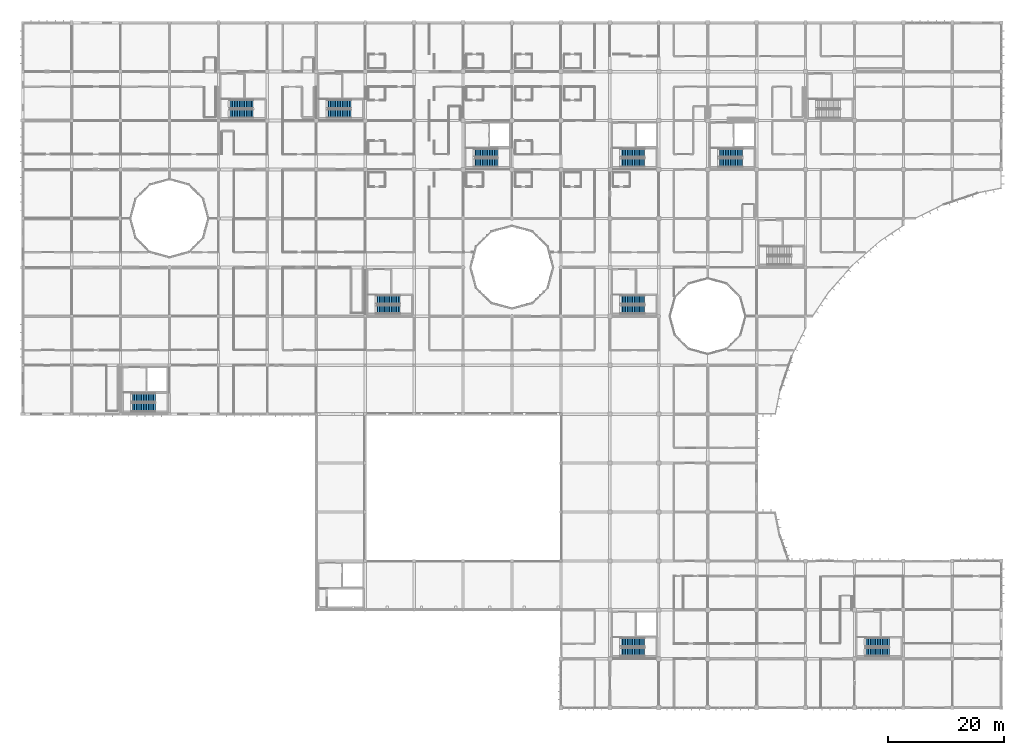
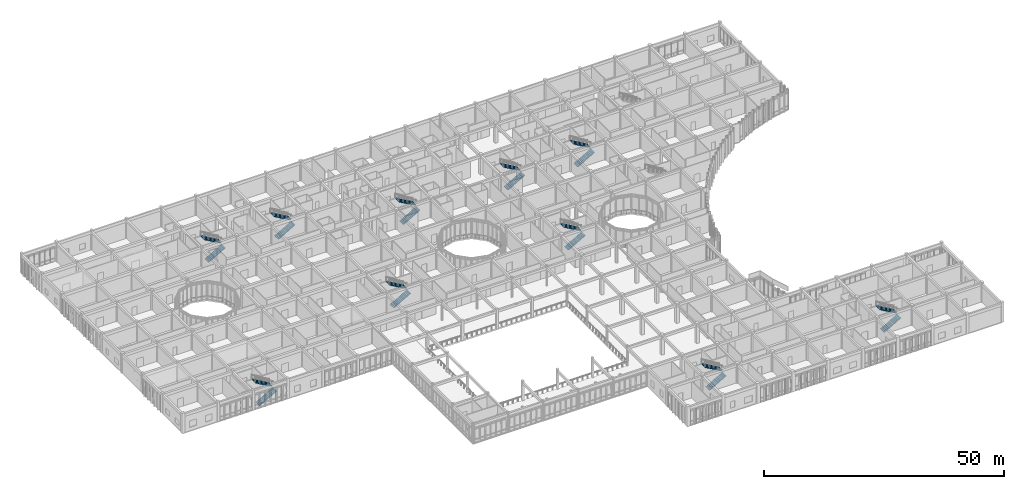
# One storey, part 113 of 134: 20 stair flights, 10 elements without a shape of their own.
"""IFC4 building model written with IfcOpenShell, lengths in metres."""

from ifc_helpers import new_model, si_unit, direction, frame, origin, place, context, subcontext, project, spatial, polyline, outline, extrude, material, type_object, element, aggregate, save


model = new_model("IFC4")

# Units and contexts
model_context = context("Model", 3, precision=1e-05, world=origin(), true_north=direction((0.0, 1.0)))
body_context = subcontext(model_context, "Body", "Model", "MODEL_VIEW")
ifc_project = project(units=[si_unit("LENGTHUNIT", "METRE"), si_unit("AREAUNIT", "SQUARE_METRE"), si_unit("VOLUMEUNIT", "CUBIC_METRE"), si_unit("PLANEANGLEUNIT", "RADIAN"), si_unit("MASSUNIT", "GRAM", prefix="KILO")], contexts=[model_context])

# Site, building, storey
site_placement = place(None, origin())
site = spatial("IfcSite", under=ifc_project, at=site_placement, CompositionType="ELEMENT")
building_placement = place(site_placement, origin())
building = spatial("IfcBuilding", under=site, at=building_placement, Name="Bramfleet General Hospital", CompositionType="ELEMENT")
storey_placement = place(building_placement, frame((0.0, 0.0, 9.300048828125)))
storey = spatial("IfcBuildingStorey", under=building, at=storey_placement, Name="L02", CompositionType="ELEMENT", Elevation=9.300048828125)

# Stair, stair flights
ifc_material = material(Name="Concrete C35/45", Category="concrete")
stair_type = type_object("IfcStairType", Name="STR-T1", PredefinedType="HALF_TURN_STAIR", material=ifc_material)
stair_1_placement = place(storey_placement, origin())
stair_1 = element("IfcStair", 1, at=stair_1_placement, inside=storey, type_object=stair_type, Name="L02 Core C2 (Emergency & Surgical) Protected Escape Stair", PredefinedType="HALF_TURN_STAIR")
stair_flight_type = type_object("IfcStairFlightType", Name="STF-T1", PredefinedType="STRAIGHT", material=ifc_material)
stair_flight_1_placement = place(storey_placement, frame((18.639892578125, 51.570068359375, 0.0), z_axis=(0.0, 0.0, 1.0), x_axis=(1.0, 0.0, 0.0)))
stair_flight_1 = element("IfcStairFlight", 2, at=stair_flight_1_placement, type_object=stair_flight_type, Name="ST-C2 flight 1", NumberOfRisers=15, NumberOfTreads=14, PredefinedType="STRAIGHT", RiserHeight=0.17, TreadLength=0.295, context=body_context, shape_type="SweptSolid", body=[
    extrude(outline(polyline([(0.0, 0.0), (0.0, 0.169921875), (0.294921875, 0.169921875), (0.294921875, 0.340087890625), (0.590087890625, 0.340087890625), (0.590087890625, 0.510009765625), (0.885009765625, 0.510009765625), (0.885009765625, 0.679931640625), (1.179931640625, 0.679931640625), (1.179931640625, 0.85009765625), (1.47509765625, 0.85009765625), (1.47509765625, 1.02001953125), (1.77001953125, 1.02001953125), (1.77001953125, 1.18994140625), (2.06494140625, 1.18994140625), (2.06494140625, 1.360107421875), (2.360107421875, 1.360107421875), (2.360107421875, 1.530029296875), (2.655029296875, 1.530029296875), (2.655029296875, 1.699951171875), (2.949951171875, 1.699951171875), (2.949951171875, 1.8701171875), (3.2451171875, 1.8701171875), (3.2451171875, 2.0400390625), (3.5400390625, 2.0400390625), (3.5400390625, 2.2099609375), (3.8349609375, 2.2099609375), (3.8349609375, 2.3798828125), (4.1298828125, 2.3798828125), (4.1298828125, 2.550048828125), (4.1298828125, 2.195556640625), (0.3203125, 0.0), (0.0, 0.0)])), frame((0.0, 0.75, 0.0), z_axis=(0.0, -1.0, 0.0), x_axis=(1.0, 0.0, 0.0)), (0.0, 0.0, 1.0), 1.5),
])
stair_flight_2_placement = place(storey_placement, frame((22.77001953125, 53.22998046875, 2.550048828125), z_axis=(0.0, 0.0, 1.0), x_axis=(-1.0, 0.0, 0.0)))
stair_flight_2 = element("IfcStairFlight", 3, at=stair_flight_2_placement, type_object=stair_flight_type, Name="ST-C2 flight 2", NumberOfRisers=15, NumberOfTreads=14, PredefinedType="STRAIGHT", RiserHeight=0.17, TreadLength=0.295, context=body_context, shape_type="SweptSolid", body=[
    extrude(outline(polyline([(0.0, 0.0), (0.0, 0.169921875), (0.294921875, 0.169921875), (0.294921875, 0.340087890625), (0.590087890625, 0.340087890625), (0.590087890625, 0.510009765625), (0.885009765625, 0.510009765625), (0.885009765625, 0.679931640625), (1.179931640625, 0.679931640625), (1.179931640625, 0.85009765625), (1.47509765625, 0.85009765625), (1.47509765625, 1.02001953125), (1.77001953125, 1.02001953125), (1.77001953125, 1.18994140625), (2.06494140625, 1.18994140625), (2.06494140625, 1.360107421875), (2.360107421875, 1.360107421875), (2.360107421875, 1.530029296875), (2.655029296875, 1.530029296875), (2.655029296875, 1.699951171875), (2.949951171875, 1.699951171875), (2.949951171875, 1.8701171875), (3.2451171875, 1.8701171875), (3.2451171875, 2.0400390625), (3.5400390625, 2.0400390625), (3.5400390625, 2.2099609375), (3.8349609375, 2.2099609375), (3.8349609375, 2.3798828125), (4.1298828125, 2.3798828125), (4.1298828125, 2.550048828125), (4.1298828125, 2.195556640625), (0.3203125, 0.0), (0.0, 0.0)])), frame((0.0, 0.75, 0.0), z_axis=(0.0, -1.0, 0.0), x_axis=(1.0, 0.0, 0.0)), (0.0, 0.0, 1.0), 1.5),
])
aggregate(stair_1, [stair_flight_1, stair_flight_2])

stair_2_placement = place(storey_placement, origin())
stair_2 = element("IfcStair", 4, at=stair_2_placement, inside=storey, type_object=stair_type, Name="L02 Core C3 (South Ward Wing) Protected Escape Stair", PredefinedType="HALF_TURN_STAIR")
stair_flight_3_placement = place(storey_placement, frame((102.639892578125, 9.570068359375, 0.0), z_axis=(0.0, 0.0, 1.0), x_axis=(1.0, 0.0, 0.0)))
stair_flight_3 = element("IfcStairFlight", 5, at=stair_flight_3_placement, type_object=stair_flight_type, Name="ST-C3 flight 1", NumberOfRisers=15, NumberOfTreads=14, PredefinedType="STRAIGHT", RiserHeight=0.17, TreadLength=0.295, context=body_context, shape_type="SweptSolid", body=[
    extrude(outline(polyline([(0.0, 0.0), (0.0, 0.169921875), (0.294921875, 0.169921875), (0.294921875, 0.340087890625), (0.590087890625, 0.340087890625), (0.590087890625, 0.510009765625), (0.885009765625, 0.510009765625), (0.885009765625, 0.679931640625), (1.179931640625, 0.679931640625), (1.179931640625, 0.85009765625), (1.47509765625, 0.85009765625), (1.47509765625, 1.02001953125), (1.77001953125, 1.02001953125), (1.77001953125, 1.18994140625), (2.06494140625, 1.18994140625), (2.06494140625, 1.360107421875), (2.360107421875, 1.360107421875), (2.360107421875, 1.530029296875), (2.655029296875, 1.530029296875), (2.655029296875, 1.699951171875), (2.949951171875, 1.699951171875), (2.949951171875, 1.8701171875), (3.2451171875, 1.8701171875), (3.2451171875, 2.0400390625), (3.5400390625, 2.0400390625), (3.5400390625, 2.2099609375), (3.8349609375, 2.2099609375), (3.8349609375, 2.3798828125), (4.1298828125, 2.3798828125), (4.1298828125, 2.550048828125), (4.1298828125, 2.195556640625), (0.3203125, 0.0), (0.0, 0.0)])), frame((0.0, 0.75, 0.0), z_axis=(0.0, -1.0, 0.0), x_axis=(1.0, 0.0, 0.0)), (0.0, 0.0, 1.0), 1.5),
])
stair_flight_4_placement = place(storey_placement, frame((106.77001953125, 11.22998046875, 2.550048828125), z_axis=(0.0, 0.0, 1.0), x_axis=(-1.0, 0.0, 0.0)))
stair_flight_4 = element("IfcStairFlight", 6, at=stair_flight_4_placement, type_object=stair_flight_type, Name="ST-C3 flight 2", NumberOfRisers=15, NumberOfTreads=14, PredefinedType="STRAIGHT", RiserHeight=0.17, TreadLength=0.295, context=body_context, shape_type="SweptSolid", body=[
    extrude(outline(polyline([(0.0, 0.0), (0.0, 0.169921875), (0.294921875, 0.169921875), (0.294921875, 0.340087890625), (0.590087890625, 0.340087890625), (0.590087890625, 0.510009765625), (0.885009765625, 0.510009765625), (0.885009765625, 0.679931640625), (1.179931640625, 0.679931640625), (1.179931640625, 0.85009765625), (1.47509765625, 0.85009765625), (1.47509765625, 1.02001953125), (1.77001953125, 1.02001953125), (1.77001953125, 1.18994140625), (2.06494140625, 1.18994140625), (2.06494140625, 1.360107421875), (2.360107421875, 1.360107421875), (2.360107421875, 1.530029296875), (2.655029296875, 1.530029296875), (2.655029296875, 1.699951171875), (2.949951171875, 1.699951171875), (2.949951171875, 1.8701171875), (3.2451171875, 1.8701171875), (3.2451171875, 2.0400390625), (3.5400390625, 2.0400390625), (3.5400390625, 2.2099609375), (3.8349609375, 2.2099609375), (3.8349609375, 2.3798828125), (4.1298828125, 2.3798828125), (4.1298828125, 2.550048828125), (4.1298828125, 2.195556640625), (0.3203125, 0.0), (0.0, 0.0)])), frame((0.0, 0.75, 0.0), z_axis=(0.0, -1.0, 0.0), x_axis=(1.0, 0.0, 0.0)), (0.0, 0.0, 1.0), 1.5),
])
aggregate(stair_2, [stair_flight_3, stair_flight_4])

stair_3_placement = place(storey_placement, origin())
stair_3 = element("IfcStair", 7, at=stair_3_placement, inside=storey, type_object=stair_type, Name="L02 Core C4 (Central Spine & Helipad Trauma) Protected Escape Stair", PredefinedType="HALF_TURN_STAIR")
stair_flight_5_placement = place(storey_placement, frame((102.639892578125, 93.570068359375, 0.0), z_axis=(0.0, 0.0, 1.0), x_axis=(1.0, 0.0, 0.0)))
stair_flight_5 = element("IfcStairFlight", 8, at=stair_flight_5_placement, type_object=stair_flight_type, Name="ST-C4 flight 1", NumberOfRisers=15, NumberOfTreads=14, PredefinedType="STRAIGHT", RiserHeight=0.17, TreadLength=0.295, context=body_context, shape_type="SweptSolid", body=[
    extrude(outline(polyline([(0.0, 0.0), (0.0, 0.169921875), (0.294921875, 0.169921875), (0.294921875, 0.340087890625), (0.590087890625, 0.340087890625), (0.590087890625, 0.510009765625), (0.885009765625, 0.510009765625), (0.885009765625, 0.679931640625), (1.179931640625, 0.679931640625), (1.179931640625, 0.85009765625), (1.47509765625, 0.85009765625), (1.47509765625, 1.02001953125), (1.77001953125, 1.02001953125), (1.77001953125, 1.18994140625), (2.06494140625, 1.18994140625), (2.06494140625, 1.360107421875), (2.360107421875, 1.360107421875), (2.360107421875, 1.530029296875), (2.655029296875, 1.530029296875), (2.655029296875, 1.699951171875), (2.949951171875, 1.699951171875), (2.949951171875, 1.8701171875), (3.2451171875, 1.8701171875), (3.2451171875, 2.0400390625), (3.5400390625, 2.0400390625), (3.5400390625, 2.2099609375), (3.8349609375, 2.2099609375), (3.8349609375, 2.3798828125), (4.1298828125, 2.3798828125), (4.1298828125, 2.550048828125), (4.1298828125, 2.195556640625), (0.3203125, 0.0), (0.0, 0.0)])), frame((0.0, 0.75, 0.0), z_axis=(0.0, -1.0, 0.0), x_axis=(1.0, 0.0, 0.0)), (0.0, 0.0, 1.0), 1.5),
])
stair_flight_6_placement = place(storey_placement, frame((106.77001953125, 95.22998046875, 2.550048828125), z_axis=(0.0, 0.0, 1.0), x_axis=(-1.0, 0.0, 0.0)))
stair_flight_6 = element("IfcStairFlight", 9, at=stair_flight_6_placement, type_object=stair_flight_type, Name="ST-C4 flight 2", NumberOfRisers=15, NumberOfTreads=14, PredefinedType="STRAIGHT", RiserHeight=0.17, TreadLength=0.295, context=body_context, shape_type="SweptSolid", body=[
    extrude(outline(polyline([(0.0, 0.0), (0.0, 0.169921875), (0.294921875, 0.169921875), (0.294921875, 0.340087890625), (0.590087890625, 0.340087890625), (0.590087890625, 0.510009765625), (0.885009765625, 0.510009765625), (0.885009765625, 0.679931640625), (1.179931640625, 0.679931640625), (1.179931640625, 0.85009765625), (1.47509765625, 0.85009765625), (1.47509765625, 1.02001953125), (1.77001953125, 1.02001953125), (1.77001953125, 1.18994140625), (2.06494140625, 1.18994140625), (2.06494140625, 1.360107421875), (2.360107421875, 1.360107421875), (2.360107421875, 1.530029296875), (2.655029296875, 1.530029296875), (2.655029296875, 1.699951171875), (2.949951171875, 1.699951171875), (2.949951171875, 1.8701171875), (3.2451171875, 1.8701171875), (3.2451171875, 2.0400390625), (3.5400390625, 2.0400390625), (3.5400390625, 2.2099609375), (3.8349609375, 2.2099609375), (3.8349609375, 2.3798828125), (4.1298828125, 2.3798828125), (4.1298828125, 2.550048828125), (4.1298828125, 2.195556640625), (0.3203125, 0.0), (0.0, 0.0)])), frame((0.0, 0.75, 0.0), z_axis=(0.0, -1.0, 0.0), x_axis=(1.0, 0.0, 0.0)), (0.0, 0.0, 1.0), 1.5),
])
aggregate(stair_3, [stair_flight_5, stair_flight_6])

stair_4_placement = place(storey_placement, origin())
stair_4 = element("IfcStair", 10, at=stair_4_placement, inside=storey, type_object=stair_type, Name="L02 Core C5 (North-West Ward Wing) Protected Escape Stair", PredefinedType="HALF_TURN_STAIR")
stair_flight_7_placement = place(storey_placement, frame((77.43994140625, 93.570068359375, 0.0), z_axis=(0.0, 0.0, 1.0), x_axis=(1.0, 0.0, 0.0)))
stair_flight_7 = element("IfcStairFlight", 11, at=stair_flight_7_placement, type_object=stair_flight_type, Name="ST-C5 flight 1", NumberOfRisers=15, NumberOfTreads=14, PredefinedType="STRAIGHT", RiserHeight=0.17, TreadLength=0.295, context=body_context, shape_type="SweptSolid", body=[
    extrude(outline(polyline([(0.0, 0.0), (0.0, 0.169921875), (0.294921875, 0.169921875), (0.294921875, 0.340087890625), (0.590087890625, 0.340087890625), (0.590087890625, 0.510009765625), (0.885009765625, 0.510009765625), (0.885009765625, 0.679931640625), (1.179931640625, 0.679931640625), (1.179931640625, 0.85009765625), (1.47509765625, 0.85009765625), (1.47509765625, 1.02001953125), (1.77001953125, 1.02001953125), (1.77001953125, 1.18994140625), (2.06494140625, 1.18994140625), (2.06494140625, 1.360107421875), (2.360107421875, 1.360107421875), (2.360107421875, 1.530029296875), (2.655029296875, 1.530029296875), (2.655029296875, 1.699951171875), (2.949951171875, 1.699951171875), (2.949951171875, 1.8701171875), (3.2451171875, 1.8701171875), (3.2451171875, 2.0400390625), (3.5400390625, 2.0400390625), (3.5400390625, 2.2099609375), (3.8349609375, 2.2099609375), (3.8349609375, 2.3798828125), (4.1298828125, 2.3798828125), (4.1298828125, 2.550048828125), (4.1298828125, 2.195556640625), (0.3203125, 0.0), (0.0, 0.0)])), frame((0.0, 0.75, 0.0), z_axis=(0.0, -1.0, 0.0), x_axis=(1.0, 0.0, 0.0)), (0.0, 0.0, 1.0), 1.5),
])
stair_flight_8_placement = place(storey_placement, frame((81.570068359375, 95.22998046875, 2.550048828125), z_axis=(0.0, 0.0, 1.0), x_axis=(-1.0, 0.0, 0.0)))
stair_flight_8 = element("IfcStairFlight", 12, at=stair_flight_8_placement, type_object=stair_flight_type, Name="ST-C5 flight 2", NumberOfRisers=15, NumberOfTreads=14, PredefinedType="STRAIGHT", RiserHeight=0.17, TreadLength=0.295, context=body_context, shape_type="SweptSolid", body=[
    extrude(outline(polyline([(0.0, 0.0), (0.0, 0.169921875), (0.294921875, 0.169921875), (0.294921875, 0.340087890625), (0.590087890625, 0.340087890625), (0.590087890625, 0.510009765625), (0.885009765625, 0.510009765625), (0.885009765625, 0.679931640625), (1.179931640625, 0.679931640625), (1.179931640625, 0.85009765625), (1.47509765625, 0.85009765625), (1.47509765625, 1.02001953125), (1.77001953125, 1.02001953125), (1.77001953125, 1.18994140625), (2.06494140625, 1.18994140625), (2.06494140625, 1.360107421875), (2.360107421875, 1.360107421875), (2.360107421875, 1.530029296875), (2.655029296875, 1.530029296875), (2.655029296875, 1.699951171875), (2.949951171875, 1.699951171875), (2.949951171875, 1.8701171875), (3.2451171875, 1.8701171875), (3.2451171875, 2.0400390625), (3.5400390625, 2.0400390625), (3.5400390625, 2.2099609375), (3.8349609375, 2.2099609375), (3.8349609375, 2.3798828125), (4.1298828125, 2.3798828125), (4.1298828125, 2.550048828125), (4.1298828125, 2.195556640625), (0.3203125, 0.0), (0.0, 0.0)])), frame((0.0, 0.75, 0.0), z_axis=(0.0, -1.0, 0.0), x_axis=(1.0, 0.0, 0.0)), (0.0, 0.0, 1.0), 1.5),
])
aggregate(stair_4, [stair_flight_7, stair_flight_8])

stair_5_placement = place(storey_placement, origin())
stair_5 = element("IfcStair", 13, at=stair_5_placement, inside=storey, type_object=stair_type, Name="L02 Core C6 (North-East Ward & Helipad) Protected Escape Stair", PredefinedType="HALF_TURN_STAIR")
stair_flight_9_placement = place(storey_placement, frame((119.43994140625, 93.570068359375, 0.0), z_axis=(0.0, 0.0, 1.0), x_axis=(1.0, 0.0, 0.0)))
stair_flight_9 = element("IfcStairFlight", 14, at=stair_flight_9_placement, type_object=stair_flight_type, Name="ST-C6 flight 1", NumberOfRisers=15, NumberOfTreads=14, PredefinedType="STRAIGHT", RiserHeight=0.17, TreadLength=0.295, context=body_context, shape_type="SweptSolid", body=[
    extrude(outline(polyline([(0.0, 0.0), (0.0, 0.169921875), (0.294921875, 0.169921875), (0.294921875, 0.340087890625), (0.590087890625, 0.340087890625), (0.590087890625, 0.510009765625), (0.885009765625, 0.510009765625), (0.885009765625, 0.679931640625), (1.179931640625, 0.679931640625), (1.179931640625, 0.85009765625), (1.47509765625, 0.85009765625), (1.47509765625, 1.02001953125), (1.77001953125, 1.02001953125), (1.77001953125, 1.18994140625), (2.06494140625, 1.18994140625), (2.06494140625, 1.360107421875), (2.360107421875, 1.360107421875), (2.360107421875, 1.530029296875), (2.655029296875, 1.530029296875), (2.655029296875, 1.699951171875), (2.949951171875, 1.699951171875), (2.949951171875, 1.8701171875), (3.2451171875, 1.8701171875), (3.2451171875, 2.0400390625), (3.5400390625, 2.0400390625), (3.5400390625, 2.2099609375), (3.8349609375, 2.2099609375), (3.8349609375, 2.3798828125), (4.1298828125, 2.3798828125), (4.1298828125, 2.550048828125), (4.1298828125, 2.195556640625), (0.3203125, 0.0), (0.0, 0.0)])), frame((0.0, 0.75, 0.0), z_axis=(0.0, -1.0, 0.0), x_axis=(1.0, 0.0, 0.0)), (0.0, 0.0, 1.0), 1.5),
])
stair_flight_10_placement = place(storey_placement, frame((123.570068359375, 95.22998046875, 2.550048828125), z_axis=(0.0, 0.0, 1.0), x_axis=(-1.0, 0.0, 0.0)))
stair_flight_10 = element("IfcStairFlight", 15, at=stair_flight_10_placement, type_object=stair_flight_type, Name="ST-C6 flight 2", NumberOfRisers=15, NumberOfTreads=14, PredefinedType="STRAIGHT", RiserHeight=0.17, TreadLength=0.295, context=body_context, shape_type="SweptSolid", body=[
    extrude(outline(polyline([(0.0, 0.0), (0.0, 0.169921875), (0.294921875, 0.169921875), (0.294921875, 0.340087890625), (0.590087890625, 0.340087890625), (0.590087890625, 0.510009765625), (0.885009765625, 0.510009765625), (0.885009765625, 0.679931640625), (1.179931640625, 0.679931640625), (1.179931640625, 0.85009765625), (1.47509765625, 0.85009765625), (1.47509765625, 1.02001953125), (1.77001953125, 1.02001953125), (1.77001953125, 1.18994140625), (2.06494140625, 1.18994140625), (2.06494140625, 1.360107421875), (2.360107421875, 1.360107421875), (2.360107421875, 1.530029296875), (2.655029296875, 1.530029296875), (2.655029296875, 1.699951171875), (2.949951171875, 1.699951171875), (2.949951171875, 1.8701171875), (3.2451171875, 1.8701171875), (3.2451171875, 2.0400390625), (3.5400390625, 2.0400390625), (3.5400390625, 2.2099609375), (3.8349609375, 2.2099609375), (3.8349609375, 2.3798828125), (4.1298828125, 2.3798828125), (4.1298828125, 2.550048828125), (4.1298828125, 2.195556640625), (0.3203125, 0.0), (0.0, 0.0)])), frame((0.0, 0.75, 0.0), z_axis=(0.0, -1.0, 0.0), x_axis=(1.0, 0.0, 0.0)), (0.0, 0.0, 1.0), 1.5),
])
aggregate(stair_5, [stair_flight_9, stair_flight_10])

stair_6_placement = place(storey_placement, origin())
stair_6 = element("IfcStair", 16, at=stair_6_placement, inside=storey, type_object=stair_type, Name="L02 Core C8 (North-West Surgical Escape) Protected Escape Stair", PredefinedType="HALF_TURN_STAIR")
stair_flight_11_placement = place(storey_placement, frame((35.43994140625, 101.969970703125, 0.0), z_axis=(0.0, 0.0, 1.0), x_axis=(1.0, 0.0, 0.0)))
stair_flight_11 = element("IfcStairFlight", 17, at=stair_flight_11_placement, type_object=stair_flight_type, Name="ST-C8 flight 1", NumberOfRisers=15, NumberOfTreads=14, PredefinedType="STRAIGHT", RiserHeight=0.17, TreadLength=0.295, context=body_context, shape_type="SweptSolid", body=[
    extrude(outline(polyline([(0.0, 0.0), (0.0, 0.169921875), (0.294921875, 0.169921875), (0.294921875, 0.340087890625), (0.590087890625, 0.340087890625), (0.590087890625, 0.510009765625), (0.885009765625, 0.510009765625), (0.885009765625, 0.679931640625), (1.179931640625, 0.679931640625), (1.179931640625, 0.85009765625), (1.47509765625, 0.85009765625), (1.47509765625, 1.02001953125), (1.77001953125, 1.02001953125), (1.77001953125, 1.18994140625), (2.06494140625, 1.18994140625), (2.06494140625, 1.360107421875), (2.360107421875, 1.360107421875), (2.360107421875, 1.530029296875), (2.655029296875, 1.530029296875), (2.655029296875, 1.699951171875), (2.949951171875, 1.699951171875), (2.949951171875, 1.8701171875), (3.2451171875, 1.8701171875), (3.2451171875, 2.0400390625), (3.5400390625, 2.0400390625), (3.5400390625, 2.2099609375), (3.8349609375, 2.2099609375), (3.8349609375, 2.3798828125), (4.1298828125, 2.3798828125), (4.1298828125, 2.550048828125), (4.1298828125, 2.195556640625), (0.3203125, 0.0), (0.0, 0.0)])), frame((0.0, 0.75, 0.0), z_axis=(0.0, -1.0, 0.0), x_axis=(1.0, 0.0, 0.0)), (0.0, 0.0, 1.0), 1.5),
])
stair_flight_12_placement = place(storey_placement, frame((39.570068359375, 103.6298828125, 2.550048828125), z_axis=(0.0, 0.0, 1.0), x_axis=(-1.0, 0.0, 0.0)))
stair_flight_12 = element("IfcStairFlight", 18, at=stair_flight_12_placement, type_object=stair_flight_type, Name="ST-C8 flight 2", NumberOfRisers=15, NumberOfTreads=14, PredefinedType="STRAIGHT", RiserHeight=0.17, TreadLength=0.295, context=body_context, shape_type="SweptSolid", body=[
    extrude(outline(polyline([(0.0, 0.0), (0.0, 0.169921875), (0.294921875, 0.169921875), (0.294921875, 0.340087890625), (0.590087890625, 0.340087890625), (0.590087890625, 0.510009765625), (0.885009765625, 0.510009765625), (0.885009765625, 0.679931640625), (1.179931640625, 0.679931640625), (1.179931640625, 0.85009765625), (1.47509765625, 0.85009765625), (1.47509765625, 1.02001953125), (1.77001953125, 1.02001953125), (1.77001953125, 1.18994140625), (2.06494140625, 1.18994140625), (2.06494140625, 1.360107421875), (2.360107421875, 1.360107421875), (2.360107421875, 1.530029296875), (2.655029296875, 1.530029296875), (2.655029296875, 1.699951171875), (2.949951171875, 1.699951171875), (2.949951171875, 1.8701171875), (3.2451171875, 1.8701171875), (3.2451171875, 2.0400390625), (3.5400390625, 2.0400390625), (3.5400390625, 2.2099609375), (3.8349609375, 2.2099609375), (3.8349609375, 2.3798828125), (4.1298828125, 2.3798828125), (4.1298828125, 2.550048828125), (4.1298828125, 2.195556640625), (0.3203125, 0.0), (0.0, 0.0)])), frame((0.0, 0.75, 0.0), z_axis=(0.0, -1.0, 0.0), x_axis=(1.0, 0.0, 0.0)), (0.0, 0.0, 1.0), 1.5),
])
aggregate(stair_6, [stair_flight_11, stair_flight_12])

stair_7_placement = place(storey_placement, origin())
stair_7 = element("IfcStair", 19, at=stair_7_placement, inside=storey, type_object=stair_type, Name="L02 Core C10 (South-East Clinic & Ward Escape) Protected Escape Stair", PredefinedType="HALF_TURN_STAIR")
stair_flight_13_placement = place(storey_placement, frame((144.639892578125, 9.570068359375, 0.0), z_axis=(0.0, 0.0, 1.0), x_axis=(1.0, 0.0, 0.0)))
stair_flight_13 = element("IfcStairFlight", 20, at=stair_flight_13_placement, type_object=stair_flight_type, Name="ST-C10 flight 1", NumberOfRisers=15, NumberOfTreads=14, PredefinedType="STRAIGHT", RiserHeight=0.17, TreadLength=0.295, context=body_context, shape_type="SweptSolid", body=[
    extrude(outline(polyline([(0.0, 0.0), (0.0, 0.169921875), (0.294921875, 0.169921875), (0.294921875, 0.340087890625), (0.590087890625, 0.340087890625), (0.590087890625, 0.510009765625), (0.885009765625, 0.510009765625), (0.885009765625, 0.679931640625), (1.179931640625, 0.679931640625), (1.179931640625, 0.85009765625), (1.47509765625, 0.85009765625), (1.47509765625, 1.02001953125), (1.77001953125, 1.02001953125), (1.77001953125, 1.18994140625), (2.06494140625, 1.18994140625), (2.06494140625, 1.360107421875), (2.360107421875, 1.360107421875), (2.360107421875, 1.530029296875), (2.655029296875, 1.530029296875), (2.655029296875, 1.699951171875), (2.949951171875, 1.699951171875), (2.949951171875, 1.8701171875), (3.2451171875, 1.8701171875), (3.2451171875, 2.0400390625), (3.5400390625, 2.0400390625), (3.5400390625, 2.2099609375), (3.8349609375, 2.2099609375), (3.8349609375, 2.3798828125), (4.1298828125, 2.3798828125), (4.1298828125, 2.550048828125), (4.1298828125, 2.195556640625), (0.3203125, 0.0), (0.0, 0.0)])), frame((0.0, 0.75, 0.0), z_axis=(0.0, -1.0, 0.0), x_axis=(1.0, 0.0, 0.0)), (0.0, 0.0, 1.0), 1.5),
])
stair_flight_14_placement = place(storey_placement, frame((148.77001953125, 11.22998046875, 2.550048828125), z_axis=(0.0, 0.0, 1.0), x_axis=(-1.0, 0.0, 0.0)))
stair_flight_14 = element("IfcStairFlight", 21, at=stair_flight_14_placement, type_object=stair_flight_type, Name="ST-C10 flight 2", NumberOfRisers=15, NumberOfTreads=14, PredefinedType="STRAIGHT", RiserHeight=0.17, TreadLength=0.295, context=body_context, shape_type="SweptSolid", body=[
    extrude(outline(polyline([(0.0, 0.0), (0.0, 0.169921875), (0.294921875, 0.169921875), (0.294921875, 0.340087890625), (0.590087890625, 0.340087890625), (0.590087890625, 0.510009765625), (0.885009765625, 0.510009765625), (0.885009765625, 0.679931640625), (1.179931640625, 0.679931640625), (1.179931640625, 0.85009765625), (1.47509765625, 0.85009765625), (1.47509765625, 1.02001953125), (1.77001953125, 1.02001953125), (1.77001953125, 1.18994140625), (2.06494140625, 1.18994140625), (2.06494140625, 1.360107421875), (2.360107421875, 1.360107421875), (2.360107421875, 1.530029296875), (2.655029296875, 1.530029296875), (2.655029296875, 1.699951171875), (2.949951171875, 1.699951171875), (2.949951171875, 1.8701171875), (3.2451171875, 1.8701171875), (3.2451171875, 2.0400390625), (3.5400390625, 2.0400390625), (3.5400390625, 2.2099609375), (3.8349609375, 2.2099609375), (3.8349609375, 2.3798828125), (4.1298828125, 2.3798828125), (4.1298828125, 2.550048828125), (4.1298828125, 2.195556640625), (0.3203125, 0.0), (0.0, 0.0)])), frame((0.0, 0.75, 0.0), z_axis=(0.0, -1.0, 0.0), x_axis=(1.0, 0.0, 0.0)), (0.0, 0.0, 1.0), 1.5),
])
aggregate(stair_7, [stair_flight_13, stair_flight_14])

stair_8_placement = place(storey_placement, origin())
stair_8 = element("IfcStair", 22, at=stair_8_placement, inside=storey, type_object=stair_type, Name="L02 Core C11 (Central Spine Escape) Protected Escape Stair", PredefinedType="HALF_TURN_STAIR")
stair_flight_15_placement = place(storey_placement, frame((102.639892578125, 68.3701171875, 0.0), z_axis=(0.0, 0.0, 1.0), x_axis=(1.0, 0.0, 0.0)))
stair_flight_15 = element("IfcStairFlight", 23, at=stair_flight_15_placement, type_object=stair_flight_type, Name="ST-C11 flight 1", NumberOfRisers=15, NumberOfTreads=14, PredefinedType="STRAIGHT", RiserHeight=0.17, TreadLength=0.295, context=body_context, shape_type="SweptSolid", body=[
    extrude(outline(polyline([(0.0, 0.0), (0.0, 0.169921875), (0.294921875, 0.169921875), (0.294921875, 0.340087890625), (0.590087890625, 0.340087890625), (0.590087890625, 0.510009765625), (0.885009765625, 0.510009765625), (0.885009765625, 0.679931640625), (1.179931640625, 0.679931640625), (1.179931640625, 0.85009765625), (1.47509765625, 0.85009765625), (1.47509765625, 1.02001953125), (1.77001953125, 1.02001953125), (1.77001953125, 1.18994140625), (2.06494140625, 1.18994140625), (2.06494140625, 1.360107421875), (2.360107421875, 1.360107421875), (2.360107421875, 1.530029296875), (2.655029296875, 1.530029296875), (2.655029296875, 1.699951171875), (2.949951171875, 1.699951171875), (2.949951171875, 1.8701171875), (3.2451171875, 1.8701171875), (3.2451171875, 2.0400390625), (3.5400390625, 2.0400390625), (3.5400390625, 2.2099609375), (3.8349609375, 2.2099609375), (3.8349609375, 2.3798828125), (4.1298828125, 2.3798828125), (4.1298828125, 2.550048828125), (4.1298828125, 2.195556640625), (0.3203125, 0.0), (0.0, 0.0)])), frame((0.0, 0.75, 0.0), z_axis=(0.0, -1.0, 0.0), x_axis=(1.0, 0.0, 0.0)), (0.0, 0.0, 1.0), 1.5),
])
stair_flight_16_placement = place(storey_placement, frame((106.77001953125, 70.030029296875, 2.550048828125), z_axis=(0.0, 0.0, 1.0), x_axis=(-1.0, 0.0, 0.0)))
stair_flight_16 = element("IfcStairFlight", 24, at=stair_flight_16_placement, type_object=stair_flight_type, Name="ST-C11 flight 2", NumberOfRisers=15, NumberOfTreads=14, PredefinedType="STRAIGHT", RiserHeight=0.17, TreadLength=0.295, context=body_context, shape_type="SweptSolid", body=[
    extrude(outline(polyline([(0.0, 0.0), (0.0, 0.169921875), (0.294921875, 0.169921875), (0.294921875, 0.340087890625), (0.590087890625, 0.340087890625), (0.590087890625, 0.510009765625), (0.885009765625, 0.510009765625), (0.885009765625, 0.679931640625), (1.179931640625, 0.679931640625), (1.179931640625, 0.85009765625), (1.47509765625, 0.85009765625), (1.47509765625, 1.02001953125), (1.77001953125, 1.02001953125), (1.77001953125, 1.18994140625), (2.06494140625, 1.18994140625), (2.06494140625, 1.360107421875), (2.360107421875, 1.360107421875), (2.360107421875, 1.530029296875), (2.655029296875, 1.530029296875), (2.655029296875, 1.699951171875), (2.949951171875, 1.699951171875), (2.949951171875, 1.8701171875), (3.2451171875, 1.8701171875), (3.2451171875, 2.0400390625), (3.5400390625, 2.0400390625), (3.5400390625, 2.2099609375), (3.8349609375, 2.2099609375), (3.8349609375, 2.3798828125), (4.1298828125, 2.3798828125), (4.1298828125, 2.550048828125), (4.1298828125, 2.195556640625), (0.3203125, 0.0), (0.0, 0.0)])), frame((0.0, 0.75, 0.0), z_axis=(0.0, -1.0, 0.0), x_axis=(1.0, 0.0, 0.0)), (0.0, 0.0, 1.0), 1.5),
])
aggregate(stair_8, [stair_flight_15, stair_flight_16])

stair_9_placement = place(storey_placement, origin())
stair_9 = element("IfcStair", 25, at=stair_9_placement, inside=storey, type_object=stair_type, Name="L02 Core C13 (Central Diagnostic Base Escape) Protected Escape Stair", PredefinedType="HALF_TURN_STAIR")
stair_flight_17_placement = place(storey_placement, frame((60.639892578125, 68.3701171875, 0.0), z_axis=(0.0, 0.0, 1.0), x_axis=(1.0, 0.0, 0.0)))
stair_flight_17 = element("IfcStairFlight", 26, at=stair_flight_17_placement, type_object=stair_flight_type, Name="ST-C13 flight 1", NumberOfRisers=15, NumberOfTreads=14, PredefinedType="STRAIGHT", RiserHeight=0.17, TreadLength=0.295, context=body_context, shape_type="SweptSolid", body=[
    extrude(outline(polyline([(0.0, 0.0), (0.0, 0.169921875), (0.294921875, 0.169921875), (0.294921875, 0.340087890625), (0.590087890625, 0.340087890625), (0.590087890625, 0.510009765625), (0.885009765625, 0.510009765625), (0.885009765625, 0.679931640625), (1.179931640625, 0.679931640625), (1.179931640625, 0.85009765625), (1.47509765625, 0.85009765625), (1.47509765625, 1.02001953125), (1.77001953125, 1.02001953125), (1.77001953125, 1.18994140625), (2.06494140625, 1.18994140625), (2.06494140625, 1.360107421875), (2.360107421875, 1.360107421875), (2.360107421875, 1.530029296875), (2.655029296875, 1.530029296875), (2.655029296875, 1.699951171875), (2.949951171875, 1.699951171875), (2.949951171875, 1.8701171875), (3.2451171875, 1.8701171875), (3.2451171875, 2.0400390625), (3.5400390625, 2.0400390625), (3.5400390625, 2.2099609375), (3.8349609375, 2.2099609375), (3.8349609375, 2.3798828125), (4.1298828125, 2.3798828125), (4.1298828125, 2.550048828125), (4.1298828125, 2.195556640625), (0.3203125, 0.0), (0.0, 0.0)])), frame((0.0, 0.75, 0.0), z_axis=(0.0, -1.0, 0.0), x_axis=(1.0, 0.0, 0.0)), (0.0, 0.0, 1.0), 1.5),
])
stair_flight_18_placement = place(storey_placement, frame((64.77001953125, 70.030029296875, 2.550048828125), z_axis=(0.0, 0.0, 1.0), x_axis=(-1.0, 0.0, 0.0)))
stair_flight_18 = element("IfcStairFlight", 27, at=stair_flight_18_placement, type_object=stair_flight_type, Name="ST-C13 flight 2", NumberOfRisers=15, NumberOfTreads=14, PredefinedType="STRAIGHT", RiserHeight=0.17, TreadLength=0.295, context=body_context, shape_type="SweptSolid", body=[
    extrude(outline(polyline([(0.0, 0.0), (0.0, 0.169921875), (0.294921875, 0.169921875), (0.294921875, 0.340087890625), (0.590087890625, 0.340087890625), (0.590087890625, 0.510009765625), (0.885009765625, 0.510009765625), (0.885009765625, 0.679931640625), (1.179931640625, 0.679931640625), (1.179931640625, 0.85009765625), (1.47509765625, 0.85009765625), (1.47509765625, 1.02001953125), (1.77001953125, 1.02001953125), (1.77001953125, 1.18994140625), (2.06494140625, 1.18994140625), (2.06494140625, 1.360107421875), (2.360107421875, 1.360107421875), (2.360107421875, 1.530029296875), (2.655029296875, 1.530029296875), (2.655029296875, 1.699951171875), (2.949951171875, 1.699951171875), (2.949951171875, 1.8701171875), (3.2451171875, 1.8701171875), (3.2451171875, 2.0400390625), (3.5400390625, 2.0400390625), (3.5400390625, 2.2099609375), (3.8349609375, 2.2099609375), (3.8349609375, 2.3798828125), (4.1298828125, 2.3798828125), (4.1298828125, 2.550048828125), (4.1298828125, 2.195556640625), (0.3203125, 0.0), (0.0, 0.0)])), frame((0.0, 0.75, 0.0), z_axis=(0.0, -1.0, 0.0), x_axis=(1.0, 0.0, 0.0)), (0.0, 0.0, 1.0), 1.5),
])
aggregate(stair_9, [stair_flight_17, stair_flight_18])

stair_10_placement = place(storey_placement, origin())
stair_10 = element("IfcStair", 28, at=stair_10_placement, inside=storey, type_object=stair_type, Name="L02 Core C14 (West Ward Wing Escape) Protected Escape Stair", PredefinedType="HALF_TURN_STAIR")
stair_flight_19_placement = place(storey_placement, frame((52.239990234375, 101.969970703125, 0.0), z_axis=(0.0, 0.0, 1.0), x_axis=(1.0, 0.0, 0.0)))
stair_flight_19 = element("IfcStairFlight", 29, at=stair_flight_19_placement, type_object=stair_flight_type, Name="ST-C14 flight 1", NumberOfRisers=15, NumberOfTreads=14, PredefinedType="STRAIGHT", RiserHeight=0.17, TreadLength=0.295, context=body_context, shape_type="SweptSolid", body=[
    extrude(outline(polyline([(0.0, 0.0), (0.0, 0.169921875), (0.294921875, 0.169921875), (0.294921875, 0.340087890625), (0.590087890625, 0.340087890625), (0.590087890625, 0.510009765625), (0.885009765625, 0.510009765625), (0.885009765625, 0.679931640625), (1.179931640625, 0.679931640625), (1.179931640625, 0.85009765625), (1.47509765625, 0.85009765625), (1.47509765625, 1.02001953125), (1.77001953125, 1.02001953125), (1.77001953125, 1.18994140625), (2.06494140625, 1.18994140625), (2.06494140625, 1.360107421875), (2.360107421875, 1.360107421875), (2.360107421875, 1.530029296875), (2.655029296875, 1.530029296875), (2.655029296875, 1.699951171875), (2.949951171875, 1.699951171875), (2.949951171875, 1.8701171875), (3.2451171875, 1.8701171875), (3.2451171875, 2.0400390625), (3.5400390625, 2.0400390625), (3.5400390625, 2.2099609375), (3.8349609375, 2.2099609375), (3.8349609375, 2.3798828125), (4.1298828125, 2.3798828125), (4.1298828125, 2.550048828125), (4.1298828125, 2.195556640625), (0.3203125, 0.0), (0.0, 0.0)])), frame((0.0, 0.75, 0.0), z_axis=(0.0, -1.0, 0.0), x_axis=(1.0, 0.0, 0.0)), (0.0, 0.0, 1.0), 1.5),
])
stair_flight_20_placement = place(storey_placement, frame((56.3701171875, 103.6298828125, 2.550048828125), z_axis=(0.0, 0.0, 1.0), x_axis=(-1.0, 0.0, 0.0)))
stair_flight_20 = element("IfcStairFlight", 30, at=stair_flight_20_placement, type_object=stair_flight_type, Name="ST-C14 flight 2", NumberOfRisers=15, NumberOfTreads=14, PredefinedType="STRAIGHT", RiserHeight=0.17, TreadLength=0.295, context=body_context, shape_type="SweptSolid", body=[
    extrude(outline(polyline([(0.0, 0.0), (0.0, 0.169921875), (0.294921875, 0.169921875), (0.294921875, 0.340087890625), (0.590087890625, 0.340087890625), (0.590087890625, 0.510009765625), (0.885009765625, 0.510009765625), (0.885009765625, 0.679931640625), (1.179931640625, 0.679931640625), (1.179931640625, 0.85009765625), (1.47509765625, 0.85009765625), (1.47509765625, 1.02001953125), (1.77001953125, 1.02001953125), (1.77001953125, 1.18994140625), (2.06494140625, 1.18994140625), (2.06494140625, 1.360107421875), (2.360107421875, 1.360107421875), (2.360107421875, 1.530029296875), (2.655029296875, 1.530029296875), (2.655029296875, 1.699951171875), (2.949951171875, 1.699951171875), (2.949951171875, 1.8701171875), (3.2451171875, 1.8701171875), (3.2451171875, 2.0400390625), (3.5400390625, 2.0400390625), (3.5400390625, 2.2099609375), (3.8349609375, 2.2099609375), (3.8349609375, 2.3798828125), (4.1298828125, 2.3798828125), (4.1298828125, 2.550048828125), (4.1298828125, 2.195556640625), (0.3203125, 0.0), (0.0, 0.0)])), frame((0.0, 0.75, 0.0), z_axis=(0.0, -1.0, 0.0), x_axis=(1.0, 0.0, 0.0)), (0.0, 0.0, 1.0), 1.5),
])
aggregate(stair_10, [stair_flight_19, stair_flight_20])

save(model, "model.ifc")
